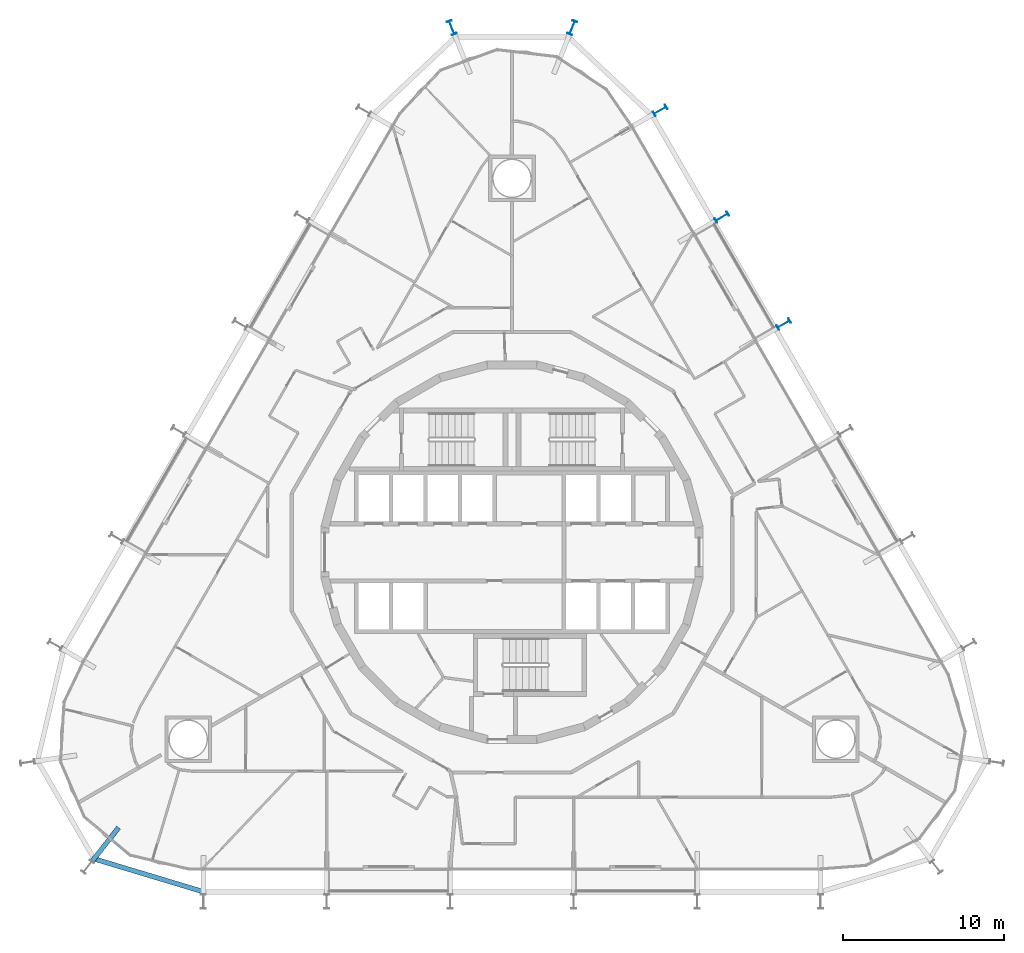
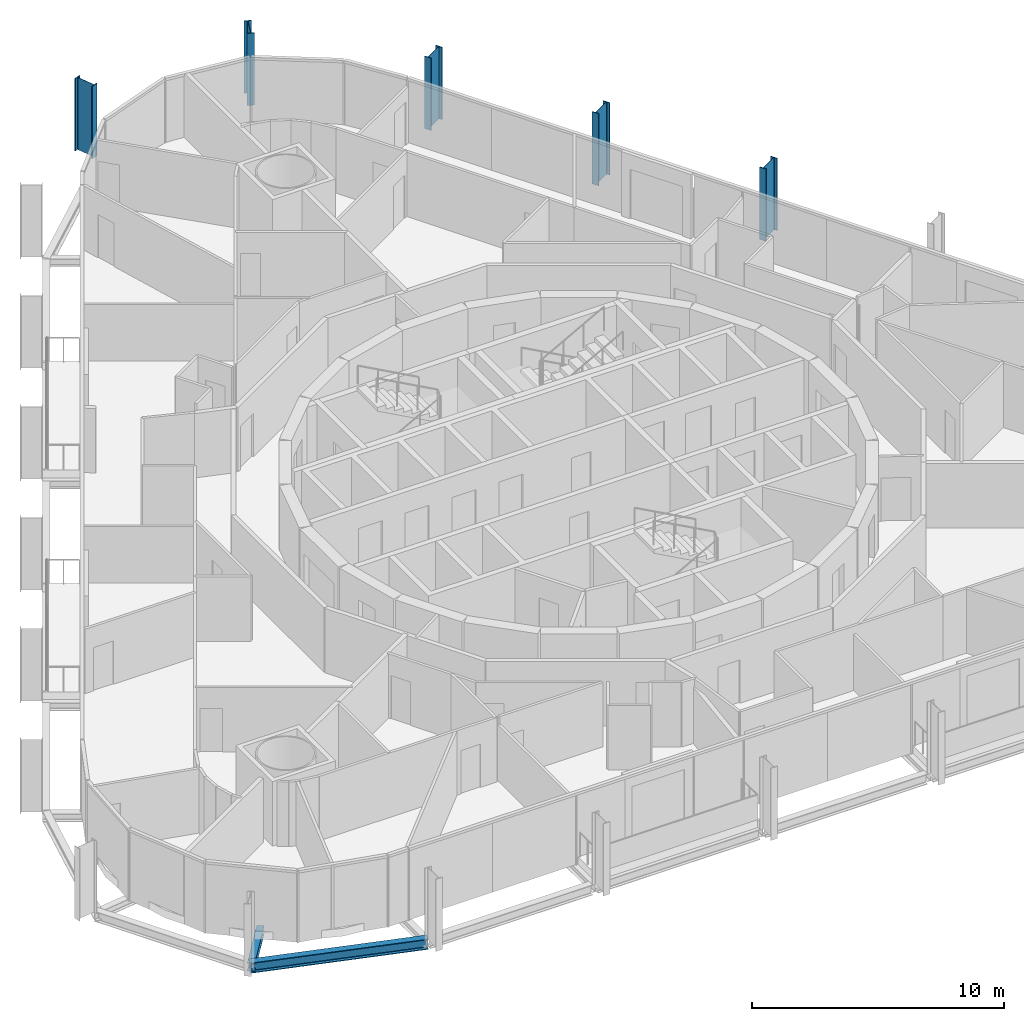
# One storey, part 2 of 20: 5 columns, 2 beams.
"""IFC4 building model written with IfcOpenShell, lengths in metres."""

from ifc_helpers import new_model, si_unit, direction, frame, origin, origin_2d, place, context, subcontext, project, spatial, i_section, extrude, material, material_profile, profile_set, type_object, element, save


model = new_model("IFC4")

# Units and contexts
model_context = context("Model", 3, precision=1e-05, world=origin(), true_north=direction((0.0, 1.0)))
body_context = subcontext(model_context, "Body", "Model", "MODEL_VIEW")
ifc_project = project(units=[si_unit("LENGTHUNIT", "METRE"), si_unit("AREAUNIT", "SQUARE_METRE"), si_unit("VOLUMEUNIT", "CUBIC_METRE"), si_unit("PLANEANGLEUNIT", "RADIAN"), si_unit("MASSUNIT", "GRAM", prefix="KILO")], contexts=[model_context])

# Site, building, storey
site_placement = place(None, origin())
site = spatial("IfcSite", under=ifc_project, at=site_placement, CompositionType="ELEMENT")
building_placement = place(site_placement, origin())
building = spatial("IfcBuilding", under=site, at=building_placement, Name="Spindle Arch Residences", CompositionType="ELEMENT")
storey_placement = place(building_placement, frame((0.0, 0.0, 59.39990234375)))
storey = spatial("IfcBuildingStorey", under=building, at=storey_placement, Name="L13", CompositionType="ELEMENT", Elevation=59.39990234375)

# Columns
ifc_material_1 = material(Name="Steel S460ML, intumescent coating R 240", Category="steel")
ifc_material_profile_1 = material_profile(ifc_material_1, i_section(OverallWidth=0.300048828125, OverallDepth=0.89990234375, WebThickness=0.0185546875, FlangeThickness=0.034912109375, FilletRadius=0.030029296875, at=origin_2d()), Name="HEB 900")
ifc_profile_set_1 = profile_set([ifc_material_profile_1], Name="Steel S460ML, intumescent coating R 240")
column_type = type_object("IfcColumnType", Name="Exoskeleton post HEB 900", PredefinedType="COLUMN", material=ifc_profile_set_1)
for number, where, z_axis, x_axis, name in (
    (1, (16.898681640625, 14.1904296875, -0.3798828125), (0.0, 0.0, 1.0), (0.50000017485, -0.866025302835, 0.0), "Exoskeleton post 9"),
    (2, (13.05859375, 20.841796875, -0.3798828125), (0.0, 0.0, 1.0), (0.50000017485, -0.866025302835, 0.0), "Exoskeleton post 10"),
    (3, (9.218505859375, 27.492919921875, -0.3798828125), (0.0, 0.0, 1.0), (0.50000017485, -0.866025302835, 0.0), "Exoskeleton post 11"),
    (4, (3.748291015625, 32.638671875, -0.3798828125), (0.0, 0.0, 1.0), (0.928589751246, -0.371107900591, 0.0), "Exoskeleton post 12"),
    (5, (-3.748291015625, 32.638671875, -0.3798828125), (0.0, 0.0, 1.0), (0.928589751246, 0.371107900591, 0.0), "Exoskeleton post 13"),
):
    element("IfcColumn", number, at=place(storey_placement, frame(where, z_axis=z_axis, x_axis=x_axis)), inside=storey, type_object=column_type, Name=name, PredefinedType="COLUMN", context=body_context, shape_type="SweptSolid", body=[
        extrude(i_section(OverallWidth=0.300048828125, OverallDepth=0.89990234375, WebThickness=0.0185546875, FlangeThickness=0.034912109375, FilletRadius=0.030029296875, at=origin_2d()), origin(), (0.0, 0.0, 1.0), 3.5),
    ])

# Beams
ifc_material_2 = material(Name="Steel S460ML, intumescent coating R 120", Category="steel")
ifc_material_profile_2 = material_profile(ifc_material_2, i_section(OverallWidth=0.300048828125, OverallDepth=0.5, WebThickness=0.014404296875, FlangeThickness=0.028076171875, FilletRadius=0.027099609375, at=origin_2d()), Name="HEB 500")
ifc_profile_set_2 = profile_set([ifc_material_profile_2], Name="Steel S460ML, intumescent coating R 120")
beam_type_1 = type_object("IfcBeamType", Name="Exoskeleton edge beam HEB 500", PredefinedType="BEAM", material=ifc_profile_set_2)
beam_1_placement = place(storey_placement, frame((-26.0751953125, -19.048095703125, -0.6298828125), z_axis=(0.95756732363, -0.288209681856, 0.0), x_axis=(0.288209681856, 0.95756732363, 0.0)))
element("IfcBeam", 6, at=beam_1_placement, inside=storey, type_object=beam_type_1, Name="Exoskeleton edge beam 21", PredefinedType="BEAM", context=body_context, shape_type="SweptSolid", body=[
    extrude(i_section(OverallWidth=0.300048828125, OverallDepth=0.5, WebThickness=0.014404296875, FlangeThickness=0.028076171875, FilletRadius=0.027099609375, at=origin_2d()), origin(), (0.0, 0.0, 1.0), 7.250244140625),
])
ifc_material_3 = material(Name="Steel S460ML, intumescent coating R 120", Category="steel")
ifc_material_profile_3 = material_profile(ifc_material_3, i_section(OverallWidth=0.300048828125, OverallDepth=0.389892578125, WebThickness=0.010986328125, FlangeThickness=0.01904296875, FilletRadius=0.027099609375, at=origin_2d()), Name="HEA 400")
ifc_profile_set_3 = profile_set([ifc_material_profile_3], Name="Steel S460ML, intumescent coating R 120")
beam_type_2 = type_object("IfcBeamType", Name="Floor outrigger HEA 400", PredefinedType="BEAM", material=ifc_profile_set_3)
beam_2_placement = place(storey_placement, frame((-26.11328125, -19.211669921875, -0.574951171875), z_axis=(0.618586231558, 0.785716917297, 0.0), x_axis=(-0.785716917297, 0.618586231558, 0.0)))
element("IfcBeam", 7, at=beam_2_placement, inside=storey, type_object=beam_type_2, Name="Floor outrigger 21", PredefinedType="BEAM", context=body_context, shape_type="SweptSolid", body=[
    extrude(i_section(OverallWidth=0.300048828125, OverallDepth=0.389892578125, WebThickness=0.010986328125, FlangeThickness=0.01904296875, FilletRadius=0.027099609375, at=origin_2d()), origin(), (0.0, 0.0, 1.0), 2.64990234375),
])

save(model, "model.ifc")
